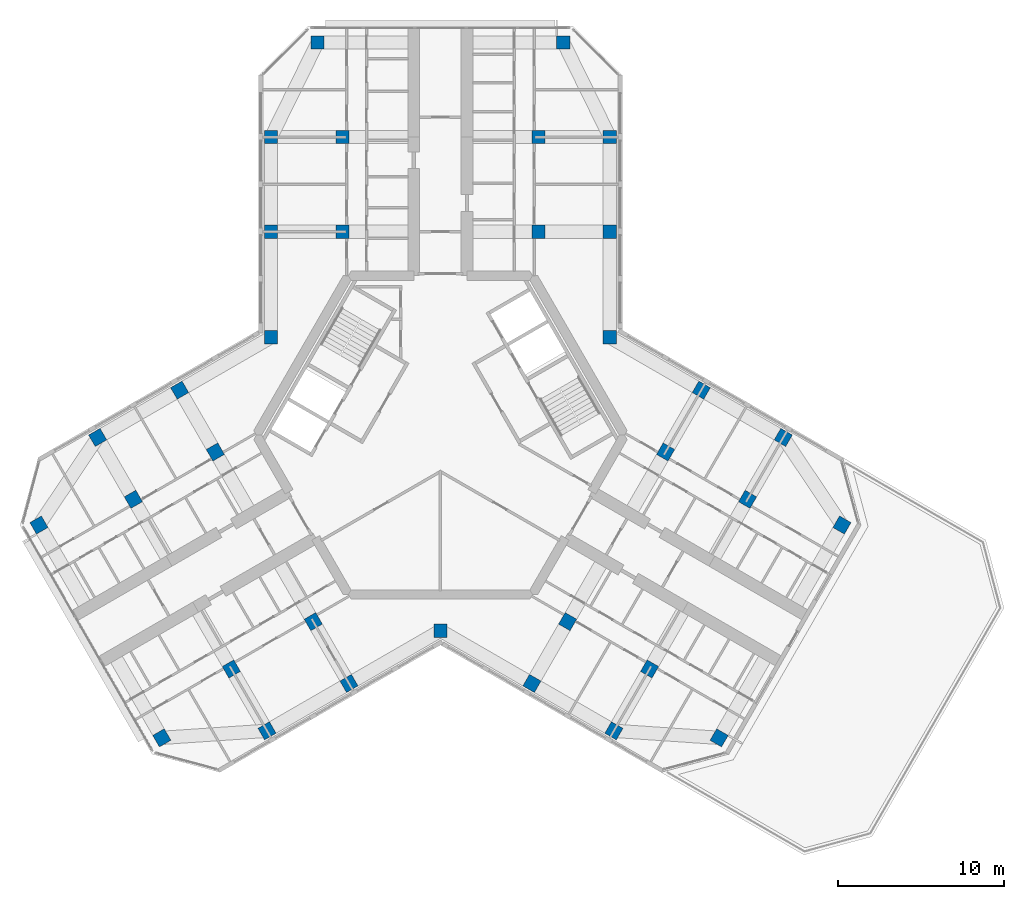
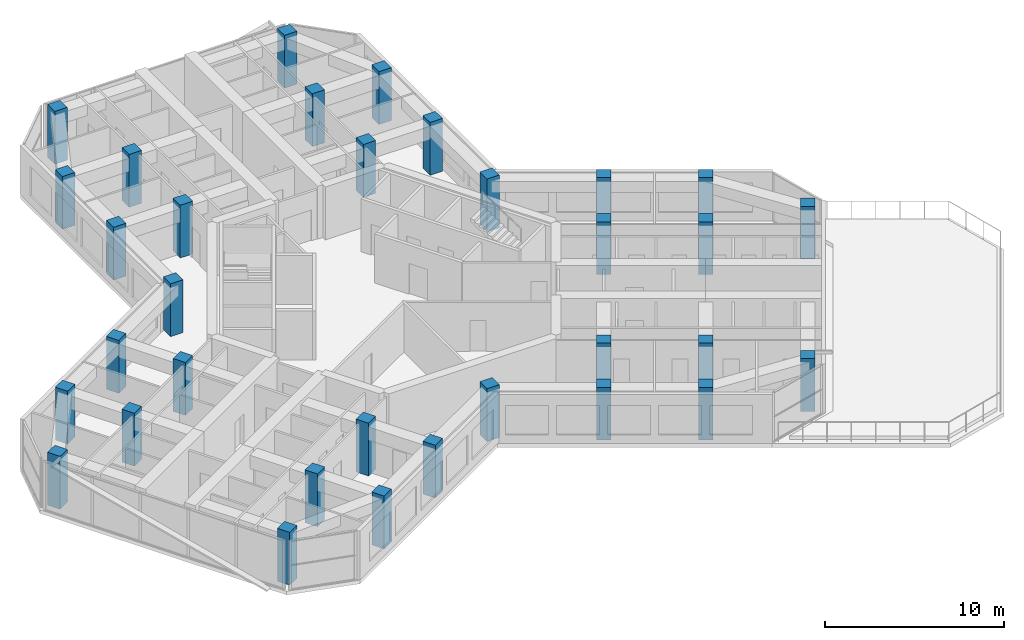
# One storey, part 1 of 14: 33 columns.
"""IFC4 building model written with IfcOpenShell, lengths in metres."""

from ifc_helpers import new_model, si_unit, direction, frame, origin, origin_2d, place, context, subcontext, project, spatial, rectangle, extrude, material, material_profile, profile_set, type_object, element, save


model = new_model("IFC4")

# Units and contexts
model_context = context("Model", 3, precision=1e-05, world=origin(), true_north=direction((0.0, 1.0)))
body_context = subcontext(model_context, "Body", "Model", "MODEL_VIEW")
ifc_project = project(units=[si_unit("LENGTHUNIT", "METRE"), si_unit("AREAUNIT", "SQUARE_METRE"), si_unit("VOLUMEUNIT", "CUBIC_METRE"), si_unit("PLANEANGLEUNIT", "RADIAN"), si_unit("MASSUNIT", "GRAM", prefix="KILO")], contexts=[model_context])

# Site, building, storey
site_placement = place(None, origin())
site = spatial("IfcSite", under=ifc_project, at=site_placement, CompositionType="ELEMENT")
building_placement = place(site_placement, origin())
building = spatial("IfcBuilding", under=site, at=building_placement, Name="Kosmar Iwan School Tower", CompositionType="ELEMENT")
storey_placement = place(building_placement, frame((0.0, 0.0, 267.39990234375)))
storey = spatial("IfcBuildingStorey", under=building, at=storey_placement, Name="L67", CompositionType="ELEMENT", Elevation=267.39990234375)

# Columns
ifc_material_1 = material(Name="Concrete C50/60", Category="concrete")
ifc_material_profile_1 = material_profile(ifc_material_1, rectangle(XDim=0.800048828125, YDim=0.800048828125, at=origin_2d()), Name="RC 800x800 + HE 300 M")
ifc_profile_set_1 = profile_set([ifc_material_profile_1], Name="Concrete C50/60")
column_type_1 = type_object("IfcColumnType", Name="Composite column 800x800 HE 300 M", PredefinedType="COLUMN", material=ifc_profile_set_1)
for number, where, z_axis, x_axis, name in (
    (1, (-10.199951171875, 12.25, 0.0), (0.0, 0.0, 1.0), (0.0, 1.0, 0.0), "Column AL1 L67"),
    (2, (-10.199951171875, 17.949951171875, 0.0), (0.0, 0.0, 1.0), (0.0, 1.0, 0.0), "Column AL2 L67"),
    (3, (-7.39990234375, 23.64990234375, 0.0), (0.0, 0.0, 1.0), (0.0, 1.0, 0.0), "Column ALTIP L67"),
    (4, (10.199951171875, 12.25, 0.0), (0.0, 0.0, 1.0), (0.0, 1.0, 0.0), "Column AR1 L67"),
    (5, (10.199951171875, 17.949951171875, 0.0), (0.0, 0.0, 1.0), (0.0, 1.0, 0.0), "Column AR2 L67"),
    (6, (7.39990234375, 23.64990234375, 0.0), (0.0, 0.0, 1.0), (0.0, 1.0, 0.0), "Column ARTIP L67"),
    (7, (-5.5087890625, -14.95849609375, 0.0), (0.0, 0.0, 1.0), (-0.866025403784, -0.5, 0.0), "Column BL1 L67"),
    (8, (-10.445068359375, -17.808349609375, 0.0), (0.0, 0.0, 1.0), (-0.866025403784, -0.5, 0.0), "Column BL2 L67"),
    (9, (-16.781494140625, -18.233642578125, 0.0), (0.0, 0.0, 1.0), (-0.866025403784, -0.5, 0.0), "Column BLTIP L67"),
    (10, (-15.708740234375, 2.70849609375, 0.0), (0.0, 0.0, 1.0), (-0.866025403784, -0.5, 0.0), "Column BR1 L67"),
    (11, (-20.645263671875, -0.1416015625, 0.0), (0.0, 0.0, 1.0), (-0.866025403784, -0.5, 0.0), "Column BR2 L67"),
    (12, (-24.181396484375, -5.41650390625, 0.0), (0.0, 0.0, 1.0), (-0.866025403784, -0.5, 0.0), "Column BRTIP L67"),
    (13, (15.708740234375, 2.70849609375, 0.0), (0.0, 0.0, 1.0), (0.866025403784, -0.5, 0.0), "Column CL1 L67"),
    (14, (20.645263671875, -0.1416015625, 0.0), (0.0, 0.0, 1.0), (0.866025403784, -0.5, 0.0), "Column CL2 L67"),
    (15, (24.181396484375, -5.41650390625, 0.0), (0.0, 0.0, 1.0), (0.866025403784, -0.5, 0.0), "Column CLTIP L67"),
    (16, (5.5087890625, -14.95849609375, 0.0), (0.0, 0.0, 1.0), (0.866025403784, -0.5, 0.0), "Column CR1 L67"),
    (17, (10.445068359375, -17.808349609375, 0.0), (0.0, 0.0, 1.0), (0.866025403784, -0.5, 0.0), "Column CR2 L67"),
    (18, (16.781494140625, -18.233642578125, 0.0), (0.0, 0.0, 1.0), (0.866025403784, -0.5, 0.0), "Column CRTIP L67"),
    (19, (-10.199951171875, 5.888916015625, 0.0), (0.0, 0.0, 1.0), (1.0, 0.0, 0.0), "Column RAB L67"),
    (20, (10.199951171875, 5.888916015625, 0.0), (0.0, 0.0, 1.0), (1.0, 0.0, 0.0), "Column RAC L67"),
    (21, (0.0, -11.77783203125, 0.0), (0.0, 0.0, 1.0), (1.0, 0.0, 0.0), "Column RBC L67"),
):
    element("IfcColumn", number, at=place(storey_placement, frame(where, z_axis=z_axis, x_axis=x_axis)), inside=storey, type_object=column_type_1, Name=name, PredefinedType="COLUMN", context=body_context, shape_type="SweptSolid", body=[
        extrude(rectangle(XDim=0.800048828125, YDim=0.800048828125, at=origin_2d()), origin(), (0.0, 0.0, 1.0), 3.60009765625),
    ])
ifc_material_2 = material(Name="Concrete C50/60", Category="concrete")
ifc_material_profile_2 = material_profile(ifc_material_2, rectangle(XDim=0.800048828125, YDim=0.800048828125, at=origin_2d()), Name="RC 800x800")
ifc_profile_set_2 = profile_set([ifc_material_profile_2], Name="Concrete C50/60")
column_type_2 = type_object("IfcColumnType", Name="RC interior column 800x800", PredefinedType="COLUMN", material=ifc_profile_set_2)
for number, where, z_axis, x_axis, name in (
    (22, (-5.89990234375, 12.25, 0.0), (0.0, 0.0, 1.0), (0.0, 1.0, 0.0), "Interior column ALI1 L67"),
    (23, (-5.89990234375, 17.949951171875, 0.0), (0.0, 0.0, 1.0), (0.0, 1.0, 0.0), "Interior column ALI2 L67"),
    (24, (5.89990234375, 12.25, 0.0), (0.0, 0.0, 1.0), (0.0, 1.0, 0.0), "Interior column ARI1 L67"),
    (25, (5.89990234375, 17.949951171875, 0.0), (0.0, 0.0, 1.0), (0.0, 1.0, 0.0), "Interior column ARI2 L67"),
    (26, (-7.65869140625, -11.234619140625, 0.0), (0.0, 0.0, 1.0), (-0.866025403784, -0.5, 0.0), "Interior column BLI1 L67"),
    (27, (-12.59521484375, -14.08447265625, 0.0), (0.0, 0.0, 1.0), (-0.866025403784, -0.5, 0.0), "Interior column BLI2 L67"),
    (28, (-13.558837890625, -1.015380859375, 0.0), (0.0, 0.0, 1.0), (-0.866025403784, -0.5, 0.0), "Interior column BRI1 L67"),
    (29, (-18.4951171875, -3.865478515625, 0.0), (0.0, 0.0, 1.0), (-0.866025403784, -0.5, 0.0), "Interior column BRI2 L67"),
    (30, (13.558837890625, -1.015380859375, 0.0), (0.0, 0.0, 1.0), (0.866025403784, -0.5, 0.0), "Interior column CLI1 L67"),
    (31, (18.4951171875, -3.865478515625, 0.0), (0.0, 0.0, 1.0), (0.866025403784, -0.5, 0.0), "Interior column CLI2 L67"),
    (32, (7.65869140625, -11.234619140625, 0.0), (0.0, 0.0, 1.0), (0.866025403784, -0.5, 0.0), "Interior column CRI1 L67"),
    (33, (12.59521484375, -14.08447265625, 0.0), (0.0, 0.0, 1.0), (0.866025403784, -0.5, 0.0), "Interior column CRI2 L67"),
):
    element("IfcColumn", number, at=place(storey_placement, frame(where, z_axis=z_axis, x_axis=x_axis)), inside=storey, type_object=column_type_2, Name=name, PredefinedType="COLUMN", context=body_context, shape_type="SweptSolid", body=[
        extrude(rectangle(XDim=0.800048828125, YDim=0.800048828125, at=origin_2d()), origin(), (0.0, 0.0, 1.0), 3.60009765625),
    ])

save(model, "model.ifc")
